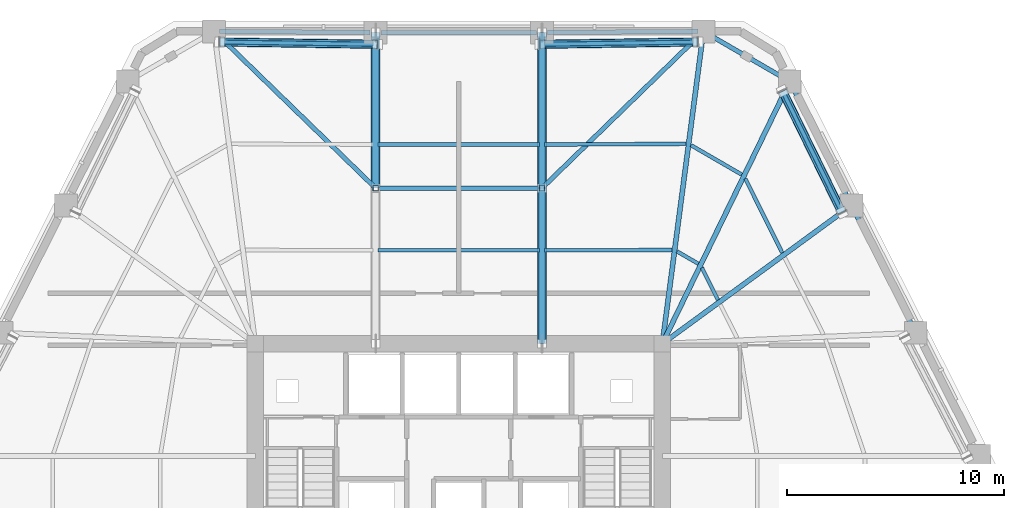
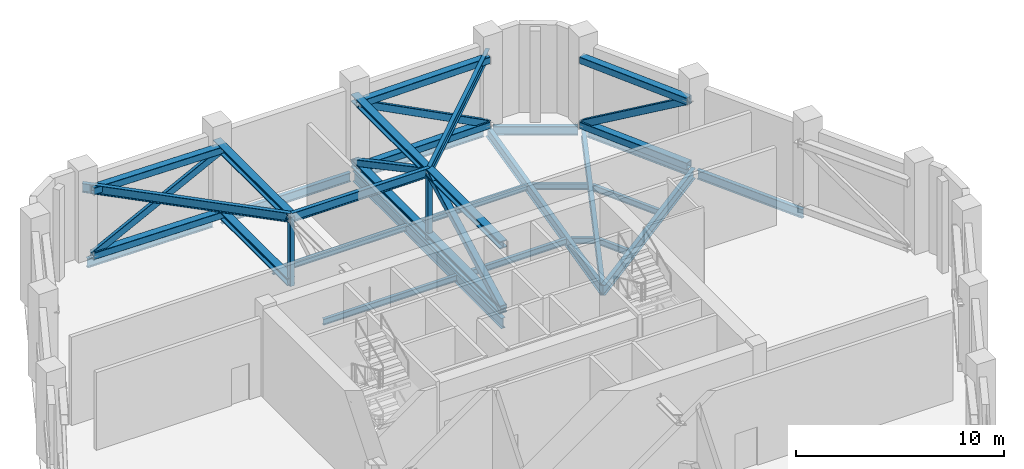
# One storey, part 5 of 15: 21 beams, 20 members.
"""IFC4 building model written with IfcOpenShell, lengths in metres."""

from ifc_helpers import new_model, si_unit, direction, frame, origin, origin_2d, place, context, subcontext, project, spatial, hollow_rectangle, i_section, extrude, material, material_profile, profile_set, type_object, element, save


model = new_model("IFC4")

# Units and contexts
model_context = context("Model", 3, precision=1e-05, world=origin(), true_north=direction((0.0, 1.0)))
body_context = subcontext(model_context, "Body", "Model", "MODEL_VIEW")
ifc_project = project(units=[si_unit("LENGTHUNIT", "METRE"), si_unit("AREAUNIT", "SQUARE_METRE"), si_unit("VOLUMEUNIT", "CUBIC_METRE"), si_unit("PLANEANGLEUNIT", "RADIAN"), si_unit("MASSUNIT", "GRAM", prefix="KILO")], contexts=[model_context])

# Site, building, storey
site_placement = place(None, origin())
site = spatial("IfcSite", under=ifc_project, at=site_placement, CompositionType="ELEMENT")
building_placement = place(site_placement, origin())
building = spatial("IfcBuilding", under=site, at=building_placement, Name="Cinnabar Lancet Tower", CompositionType="ELEMENT")
storey_placement = place(building_placement, frame((0.0, 0.0, 148.10009765625)))
storey = spatial("IfcBuildingStorey", under=building, at=storey_placement, Name="L39", CompositionType="ELEMENT", Elevation=148.10009765625)

# Beams
ifc_material_1 = material(Name="Structural steel S355", Category="steel")
ifc_material_profile_1 = material_profile(ifc_material_1, i_section(OverallWidth=0.17138671875, OverallDepth=0.35498046875, WebThickness=0.00732421875, FlangeThickness=0.011474609375, FilletRadius=0.01025390625, at=origin_2d()), Name="UKB 356x171x51")
ifc_profile_set_1 = profile_set([ifc_material_profile_1], Name="Structural steel S355")
beam_type_1 = type_object("IfcBeamType", Name="STR-BM-JST-356", PredefinedType="JOIST", material=ifc_profile_set_1)
beam_1_placement = place(storey_placement, frame((47.300048828125, 37.455078125, -0.4580078125), z_axis=(-0.445116798807, 0.895472520751, 0.0), x_axis=(-0.895472520751, -0.445116798807, 0.0)))
element("IfcBeam", 1, at=beam_1_placement, inside=storey, type_object=beam_type_1, Name="L39 Secondary Floor Joist 29", PredefinedType="JOIST", context=body_context, shape_type="SweptSolid", body=[
    extrude(i_section(OverallWidth=0.17138671875, OverallDepth=0.35498046875, WebThickness=0.00732421875, FlangeThickness=0.011474609375, FilletRadius=0.01025390625, at=origin_2d()), origin(), (0.0, 0.0, 1.0), 3.8212890625),
])
beam_2_placement = place(storey_placement, frame((44.337890625, 35.2900390625, -0.4580078125), z_axis=(-0.445677136949, 0.895193772097, 0.0), x_axis=(-0.895193772097, -0.445677136949, 0.0)))
element("IfcBeam", 2, at=beam_2_placement, inside=storey, type_object=beam_type_1, Name="L39 Secondary Floor Joist 30", PredefinedType="JOIST", context=body_context, shape_type="SweptSolid", body=[
    extrude(i_section(OverallWidth=0.17138671875, OverallDepth=0.35498046875, WebThickness=0.00732421875, FlangeThickness=0.011474609375, FilletRadius=0.01025390625, at=origin_2d()), origin(), (0.0, 0.0, 1.0), 1.6533203125),
])
beam_3_placement = place(storey_placement, frame((45.43505859375, 41.06298828125, -0.4580078125), z_axis=(-0.865172906898, 0.501473669469, 0.0), x_axis=(-0.501473669469, -0.865172906898, 0.0)))
element("IfcBeam", 3, at=beam_3_placement, inside=storey, type_object=beam_type_1, Name="L39 Secondary Floor Joist 31", PredefinedType="JOIST", context=body_context, shape_type="SweptSolid", body=[
    extrude(i_section(OverallWidth=0.17138671875, OverallDepth=0.35498046875, WebThickness=0.00732421875, FlangeThickness=0.011474609375, FilletRadius=0.01025390625, at=origin_2d()), origin(), (0.0, 0.0, 1.0), 2.705810546875),
])
beam_4_placement = place(storey_placement, frame((43.43798828125, 36.9560546875, -0.4580078125), z_axis=(-0.865055308165, 0.501676503154, 0.0), x_axis=(-0.501676503154, -0.865055308165, 0.0)))
element("IfcBeam", 4, at=beam_4_placement, inside=storey, type_object=beam_type_1, Name="L39 Secondary Floor Joist 32", PredefinedType="JOIST", context=body_context, shape_type="SweptSolid", body=[
    extrude(i_section(OverallWidth=0.17138671875, OverallDepth=0.35498046875, WebThickness=0.00732421875, FlangeThickness=0.011474609375, FilletRadius=0.01025390625, at=origin_2d()), origin(), (0.0, 0.0, 1.0), 1.14208984375),
])
beam_5_placement = place(storey_placement, frame((42.8720703125, 42.48095703125, -0.4580078125), z_axis=(-0.999987991898, -0.004900618269, 0.0), x_axis=(0.004900618269, -0.999987991898, 0.0)))
element("IfcBeam", 5, at=beam_5_placement, inside=storey, type_object=beam_type_1, Name="L39 Secondary Floor Joist 33", PredefinedType="JOIST", context=body_context, shape_type="SweptSolid", body=[
    extrude(i_section(OverallWidth=0.17138671875, OverallDepth=0.35498046875, WebThickness=0.00732421875, FlangeThickness=0.011474609375, FilletRadius=0.01025390625, at=origin_2d()), origin(), (0.0, 0.0, 1.0), 6.526123046875),
])
beam_6_placement = place(storey_placement, frame((42.22802734375, 37.591064453125, -0.4580078125), z_axis=(-0.999996247906, -0.002739374605, 0.0), x_axis=(0.002739374605, -0.999996247906, 0.0)))
element("IfcBeam", 6, at=beam_6_placement, inside=storey, type_object=beam_type_1, Name="L39 Secondary Floor Joist 34", PredefinedType="JOIST", context=body_context, shape_type="SweptSolid", body=[
    extrude(i_section(OverallWidth=0.17138671875, OverallDepth=0.35498046875, WebThickness=0.00732421875, FlangeThickness=0.011474609375, FilletRadius=0.01025390625, at=origin_2d()), origin(), (0.0, 0.0, 1.0), 5.882080078125),
])
for number, where, z_axis, x_axis, name in (
    (7, (36.117919921875, 42.447998046875, -0.4580078125), (-1.0, 0.0, 0.0), (0.0, -1.0, 0.0), "L39 Secondary Floor Joist 35"),
    (8, (36.117919921875, 37.574951171875, -0.4580078125), (-1.0, 0.0, 0.0), (0.0, -1.0, 0.0), "L39 Secondary Floor Joist 36"),
):
    element("IfcBeam", number, at=place(storey_placement, frame(where, z_axis=z_axis, x_axis=x_axis)), inside=storey, type_object=beam_type_1, Name=name, PredefinedType="JOIST", context=body_context, shape_type="SweptSolid", body=[
        extrude(i_section(OverallWidth=0.17138671875, OverallDepth=0.35498046875, WebThickness=0.00732421875, FlangeThickness=0.011474609375, FilletRadius=0.01025390625, at=origin_2d()), origin(), (0.0, 0.0, 1.0), 7.43603515625),
    ])
ifc_material_2 = material(Name="Structural steel S355", Category="steel")
ifc_material_profile_2 = material_profile(ifc_material_2, i_section(OverallWidth=0.209228515625, OverallDepth=0.533203125, WebThickness=0.010009765625, FlangeThickness=0.015625, FilletRadius=0.0126953125, at=origin_2d()), Name="UKB 533x210x92")
ifc_profile_set_2 = profile_set([ifc_material_profile_2], Name="Structural steel S355")
beam_type_2 = type_object("IfcBeamType", Name="STR-BM-SPN-533", PredefinedType="SPANDREL", material=ifc_profile_set_2)
beam_7_placement = place(storey_placement, frame((53.339111328125, 33.9990234375, -0.547119140625), z_axis=(-0.450570325924, 0.892740937449, 0.0), x_axis=(-0.892740937449, -0.450570325924, 0.0)))
element("IfcBeam", 9, at=beam_7_placement, inside=storey, type_object=beam_type_2, Name="L39 Perimeter Spandrel 10", PredefinedType="SPANDREL", context=body_context, shape_type="SweptSolid", body=[
    extrude(i_section(OverallWidth=0.209228515625, OverallDepth=0.533203125, WebThickness=0.010009765625, FlangeThickness=0.015625, FilletRadius=0.0126953125, at=origin_2d()), origin(), (0.0, 0.0, 1.0), 6.07470703125),
])
beam_8_placement = place(storey_placement, frame((50.3779296875, 39.868896484375, -0.547119140625), z_axis=(-0.445501068635, 0.89528140707, 0.0), x_axis=(-0.89528140707, -0.445501068635, 0.0)))
element("IfcBeam", 10, at=beam_8_placement, inside=storey, type_object=beam_type_2, Name="L39 Perimeter Spandrel 11", PredefinedType="SPANDREL", context=body_context, shape_type="SweptSolid", body=[
    extrude(i_section(OverallWidth=0.209228515625, OverallDepth=0.533203125, WebThickness=0.010009765625, FlangeThickness=0.015625, FilletRadius=0.0126953125, at=origin_2d()), origin(), (0.0, 0.0, 1.0), 5.87646484375),
])
beam_9_placement = place(storey_placement, frame((47.43310546875, 45.47900390625, -0.547119140625), z_axis=(-0.865138129765, 0.5015336643, 0.0), x_axis=(-0.5015336643, -0.865138129765, 0.0)))
element("IfcBeam", 11, at=beam_9_placement, inside=storey, type_object=beam_type_2, Name="L39 Perimeter Spandrel 12", PredefinedType="SPANDREL", context=body_context, shape_type="SweptSolid", body=[
    extrude(i_section(OverallWidth=0.209228515625, OverallDepth=0.533203125, WebThickness=0.010009765625, FlangeThickness=0.015625, FilletRadius=0.0126953125, at=origin_2d()), origin(), (0.0, 0.0, 1.0), 4.10107421875),
])
beam_10_placement = place(storey_placement, frame((43.4189453125, 47.658935546875, -0.547119140625), z_axis=(-0.999975228682, -0.007038609338, 0.0), x_axis=(0.007038609338, -0.999975228682, 0.0)))
element("IfcBeam", 12, at=beam_10_placement, inside=storey, type_object=beam_type_2, Name="L39 Perimeter Spandrel 13", PredefinedType="SPANDREL", context=body_context, shape_type="SweptSolid", body=[
    extrude(i_section(OverallWidth=0.209228515625, OverallDepth=0.533203125, WebThickness=0.010009765625, FlangeThickness=0.015625, FilletRadius=0.0126953125, at=origin_2d()), origin(), (0.0, 0.0, 1.0), 6.937255859375),
])
beam_11_placement = place(storey_placement, frame((35.98193359375, 47.60791015625, -0.547119140625), z_axis=(-1.0, 0.0, 0.0), x_axis=(0.0, -1.0, 0.0)))
element("IfcBeam", 13, at=beam_11_placement, inside=storey, type_object=beam_type_2, Name="L39 Perimeter Spandrel 14", PredefinedType="SPANDREL", context=body_context, shape_type="SweptSolid", body=[
    extrude(i_section(OverallWidth=0.209228515625, OverallDepth=0.533203125, WebThickness=0.010009765625, FlangeThickness=0.015625, FilletRadius=0.0126953125, at=origin_2d()), origin(), (0.0, 0.0, 1.0), 7.163818359375),
])
beam_12_placement = place(storey_placement, frame((28.318115234375, 47.610107421875, -0.547119140625), z_axis=(-0.999975228682, 0.007038609338, 0.0), x_axis=(-0.007038609338, -0.999975228682, 0.0)))
element("IfcBeam", 14, at=beam_12_placement, inside=storey, type_object=beam_type_2, Name="L39 Perimeter Spandrel 15", PredefinedType="SPANDREL", context=body_context, shape_type="SweptSolid", body=[
    extrude(i_section(OverallWidth=0.209228515625, OverallDepth=0.533203125, WebThickness=0.010009765625, FlangeThickness=0.015625, FilletRadius=0.0126953125, at=origin_2d()), origin(), (0.0, 0.0, 1.0), 6.937255859375),
])
ifc_material_3 = material(Name="Structural steel S355", Category="steel")
ifc_material_profile_3 = material_profile(ifc_material_3, i_section(OverallWidth=0.209228515625, OverallDepth=0.533203125, WebThickness=0.010009765625, FlangeThickness=0.015625, FilletRadius=0.0126953125, at=origin_2d()), Name="UKB 533x210x92")
ifc_profile_set_3 = profile_set([ifc_material_profile_3], Name="Structural steel S355")
beam_type_3 = type_object("IfcBeamType", Name="STR-BM-UKB533-92", PredefinedType="BEAM", material=ifc_profile_set_3)
beam_13_placement = place(storey_placement, frame((43.6689453125, 47.660888671875, 3.992919921875), z_axis=(-0.717498977206, -0.696559557905, 0.0), x_axis=(0.696559557905, -0.717498977206, 0.0)))
element("IfcBeam", 15, at=beam_13_placement, inside=storey, type_object=beam_type_3, Name="L39 Outrigger N Tie Beam 1", PredefinedType="BEAM", context=body_context, shape_type="SweptSolid", body=[
    extrude(i_section(OverallWidth=0.209228515625, OverallDepth=0.533203125, WebThickness=0.010009765625, FlangeThickness=0.015625, FilletRadius=0.0126953125, at=origin_2d()), origin(), (0.0, 0.0, 1.0), 10.365234375),
])
beam_14_placement = place(storey_placement, frame((36.23193359375, 40.44091796875, 3.992919921875), z_axis=(-1.0, 0.0, 0.0), x_axis=(0.0, -1.0, 0.0)))
element("IfcBeam", 16, at=beam_14_placement, inside=storey, type_object=beam_type_3, Name="L39 Outrigger N Tie Beam 2", PredefinedType="BEAM", context=body_context, shape_type="SweptSolid", body=[
    extrude(i_section(OverallWidth=0.209228515625, OverallDepth=0.533203125, WebThickness=0.010009765625, FlangeThickness=0.015625, FilletRadius=0.0126953125, at=origin_2d()), origin(), (0.0, 0.0, 1.0), 7.663818359375),
])
beam_15_placement = place(storey_placement, frame((28.568115234375, 40.44091796875, 3.992919921875), z_axis=(-0.717498977206, 0.696559557905, 0.0), x_axis=(-0.696559557905, -0.717498977206, 0.0)))
element("IfcBeam", 17, at=beam_15_placement, inside=storey, type_object=beam_type_3, Name="L39 Outrigger N Tie Beam 3", PredefinedType="BEAM", context=body_context, shape_type="SweptSolid", body=[
    extrude(i_section(OverallWidth=0.209228515625, OverallDepth=0.533203125, WebThickness=0.010009765625, FlangeThickness=0.015625, FilletRadius=0.0126953125, at=origin_2d()), origin(), (0.0, 0.0, 1.0), 10.365234375),
])
ifc_material_4 = material(Name="Structural steel S355", Category="steel")
ifc_material_profile_4 = material_profile(ifc_material_4, i_section(OverallWidth=0.228271484375, OverallDepth=0.607666015625, WebThickness=0.010986328125, FlangeThickness=0.017333984375, FilletRadius=0.0126953125, at=origin_2d()), Name="UKB 610x229x113")
ifc_profile_set_4 = profile_set([ifc_material_profile_4], Name="Structural steel S355")
beam_type_4 = type_object("IfcBeamType", Name="STR-BM-UKB610-113", PredefinedType="BEAM", material=ifc_profile_set_4)
beam_16_placement = place(storey_placement, frame((50.489013671875, 39.64501953125, -0.583984375), z_axis=(-0.807297870919, -0.590144175273, 0.0), x_axis=(0.590144175273, -0.807297870919, 0.0)))
element("IfcBeam", 18, at=beam_16_placement, inside=storey, type_object=beam_type_4, Name="L39 Corner Collector Girder 3", PredefinedType="BEAM", context=body_context, shape_type="SweptSolid", body=[
    extrude(i_section(OverallWidth=0.228271484375, OverallDepth=0.607666015625, WebThickness=0.010986328125, FlangeThickness=0.017333984375, FilletRadius=0.0126953125, at=origin_2d()), origin(), (0.0, 0.0, 1.0), 10.794189453125),
])
beam_17_placement = place(storey_placement, frame((47.64892578125, 45.35400390625, -0.583984375), z_axis=(-0.437327473227, -0.899302330232, 0.0), x_axis=(0.899302330232, -0.437327473227, 0.0)))
element("IfcBeam", 19, at=beam_17_placement, inside=storey, type_object=beam_type_4, Name="L39 Primary Floor Girder 12", PredefinedType="BEAM", context=body_context, shape_type="SweptSolid", body=[
    extrude(i_section(OverallWidth=0.228271484375, OverallDepth=0.607666015625, WebThickness=0.010986328125, FlangeThickness=0.017333984375, FilletRadius=0.0126953125, at=origin_2d()), origin(), (0.0, 0.0, 1.0), 13.431640625),
])
beam_18_placement = place(storey_placement, frame((43.6689453125, 47.660888671875, -0.583984375), z_axis=(-0.130532420418, -0.991444041396, 0.0), x_axis=(0.991444041396, -0.130532420418, 0.0)))
element("IfcBeam", 20, at=beam_18_placement, inside=storey, type_object=beam_type_4, Name="L39 Primary Floor Girder 13", PredefinedType="BEAM", context=body_context, shape_type="SweptSolid", body=[
    extrude(i_section(OverallWidth=0.228271484375, OverallDepth=0.607666015625, WebThickness=0.010986328125, FlangeThickness=0.017333984375, FilletRadius=0.0126953125, at=origin_2d()), origin(), (0.0, 0.0, 1.0), 14.51025390625),
])
beam_19_placement = place(storey_placement, frame((36.23193359375, 47.60791015625, -0.583984375), z_axis=(0.0, -1.0, 0.0), x_axis=(1.0, 0.0, 0.0)))
element("IfcBeam", 21, at=beam_19_placement, inside=storey, type_object=beam_type_4, Name="L39 Primary Floor Girder 14", PredefinedType="BEAM", context=body_context, shape_type="SweptSolid", body=[
    extrude(i_section(OverallWidth=0.228271484375, OverallDepth=0.607666015625, WebThickness=0.010986328125, FlangeThickness=0.017333984375, FilletRadius=0.0126953125, at=origin_2d()), origin(), (0.0, 0.0, 1.0), 14.3330078125),
])

# Members
ifc_material_5 = material(Name="Structural steel S460", Category="steel")
ifc_material_profile_5 = material_profile(ifc_material_5, hollow_rectangle(XDim=0.199951171875, YDim=0.39990234375, WallThickness=0.01611328125, InnerFilletRadius=0.008056640625, OuterFilletRadius=0.02392578125, at=origin_2d()), Name="RHS 400x200x16")
ifc_profile_set_5 = profile_set([ifc_material_profile_5], Name="Structural steel S460")
member_type_1 = type_object("IfcMemberType", Name="STR-MEM-BT-BRC400", PredefinedType="BRACE", material=ifc_profile_set_5)
member_1_placement = place(storey_placement, frame((50.052001953125, 39.31103515625, 4.039794921875), z_axis=(-0.374514841053, 0.766376054009, -0.521925643816), x_axis=(-0.898457388787, -0.439060725338, 0.0)))
element("IfcMember", 22, at=member_1_placement, inside=storey, type_object=member_type_1, Name="L39 Belt Truss Face 3 Diagonal", PredefinedType="BRACE", context=body_context, shape_type="SweptSolid", body=[
    extrude(hollow_rectangle(XDim=0.199951171875, YDim=0.39990234375, WallThickness=0.01611328125, InnerFilletRadius=0.008056640625, OuterFilletRadius=0.02392578125, at=origin_2d()), origin(), (0.0, 0.0, 1.0), 7.318603515625),
])
for number, where, z_axis, x_axis, name in (
    (23, (43.4169921875, 47.172119140625, 0.219970703125), (-0.88543369607, -0.012916719467, 0.464586190305), (0.014586462362, -0.999893611899, 0.0), "L39 Belt Truss Face 4 Diagonal"),
    (24, (28.6630859375, 47.06591796875, 4.039794921875), (-0.88543369607, 0.012916719467, -0.464586190305), (-0.014586462362, -0.999893611899, 0.0), "L39 Belt Truss Face 4 Diagonal"),
):
    element("IfcMember", number, at=place(storey_placement, frame(where, z_axis=z_axis, x_axis=x_axis)), inside=storey, type_object=member_type_1, Name=name, PredefinedType="BRACE", context=body_context, shape_type="SweptSolid", body=[
        extrude(hollow_rectangle(XDim=0.199951171875, YDim=0.39990234375, WallThickness=0.01611328125, InnerFilletRadius=0.008056640625, OuterFilletRadius=0.02392578125, at=origin_2d()), origin(), (0.0, 0.0, 1.0), 8.221923828125),
    ])
ifc_material_6 = material(Name="Structural steel S460", Category="steel")
ifc_material_profile_6 = material_profile(ifc_material_6, hollow_rectangle(XDim=0.39990234375, YDim=0.39990234375, WallThickness=0.02001953125, InnerFilletRadius=0.010009765625, OuterFilletRadius=0.030029296875, at=origin_2d()), Name="SHS 400x400x20")
ifc_profile_set_6 = profile_set([ifc_material_profile_6], Name="Structural steel S460")
member_type_2 = type_object("IfcMemberType", Name="STR-MEM-BT-CHD400", PredefinedType="CHORD", material=ifc_profile_set_6)
for number, where, z_axis, x_axis, name in (
    (25, (50.052001953125, 39.31103515625, 0.219970703125), (-0.439060725338, 0.898457388787, 0.0), (-0.898457388787, -0.439060725338, 0.0), "L39 Belt Truss Face 3 Chord BC"),
    (26, (50.052001953125, 39.31103515625, 4.039794921875), (-0.439060725338, 0.898457388787, 0.0), (-0.898457388787, -0.439060725338, 0.0), "L39 Belt Truss Face 3 Chord TC"),
):
    element("IfcMember", number, at=place(storey_placement, frame(where, z_axis=z_axis, x_axis=x_axis)), inside=storey, type_object=member_type_2, Name=name, PredefinedType="CHORD", context=body_context, shape_type="SweptSolid", body=[
        extrude(hollow_rectangle(XDim=0.39990234375, YDim=0.39990234375, WallThickness=0.02001953125, InnerFilletRadius=0.010009765625, OuterFilletRadius=0.030029296875, at=origin_2d()), origin(), (0.0, 0.0, 1.0), 6.24267578125),
    ])
for number, where, z_axis, x_axis, name in (
    (27, (43.4169921875, 47.172119140625, 0.219970703125), (-0.999893611899, -0.014586462362, 0.0), (0.014586462362, -0.999893611899, 0.0), "L39 Belt Truss Face 4 Chord BC"),
    (28, (43.4169921875, 47.172119140625, 4.039794921875), (-0.999893611899, -0.014586462362, 0.0), (0.014586462362, -0.999893611899, 0.0), "L39 Belt Truss Face 4 Chord TC"),
    (29, (28.6630859375, 47.06591796875, 0.219970703125), (-0.999893611899, 0.014586462362, 0.0), (-0.014586462362, -0.999893611899, 0.0), "L39 Belt Truss Face 4 Chord BC"),
    (30, (28.6630859375, 47.06591796875, 4.039794921875), (-0.999893611899, 0.014586462362, 0.0), (-0.014586462362, -0.999893611899, 0.0), "L39 Belt Truss Face 4 Chord TC"),
):
    element("IfcMember", number, at=place(storey_placement, frame(where, z_axis=z_axis, x_axis=x_axis)), inside=storey, type_object=member_type_2, Name=name, PredefinedType="CHORD", context=body_context, shape_type="SweptSolid", body=[
        extrude(hollow_rectangle(XDim=0.39990234375, YDim=0.39990234375, WallThickness=0.02001953125, InnerFilletRadius=0.010009765625, OuterFilletRadius=0.030029296875, at=origin_2d()), origin(), (0.0, 0.0, 1.0), 7.28076171875),
    ])
ifc_material_7 = material(Name="Structural steel S460", Category="steel")
ifc_material_profile_7 = material_profile(ifc_material_7, hollow_rectangle(XDim=0.25, YDim=0.25, WallThickness=0.012451171875, InnerFilletRadius=0.00634765625, OuterFilletRadius=0.018798828125, at=origin_2d()), Name="SHS 250x250x12.5")
ifc_profile_set_7 = profile_set([ifc_material_profile_7], Name="Structural steel S460")
member_type_3 = type_object("IfcMemberType", Name="STR-MEM-BT-PST250", PredefinedType="STRUT", material=ifc_profile_set_7)
for number, where, z_axis, x_axis, name in (
    (31, (36.23193359375, 40.44091796875, 0.0), (0.0, 0.0, 1.0), (1.0, 0.0, 0.0), "L39 Outrigger Truss 3 Web Strut"),
    (32, (28.568115234375, 40.44091796875, 0.0), (0.0, 0.0, 1.0), (1.0, 0.0, 0.0), "L39 Outrigger Truss 4 Web Strut"),
):
    element("IfcMember", number, at=place(storey_placement, frame(where, z_axis=z_axis, x_axis=x_axis)), inside=storey, type_object=member_type_3, Name=name, PredefinedType="STRUT", context=body_context, shape_type="SweptSolid", body=[
        extrude(hollow_rectangle(XDim=0.25, YDim=0.25, WallThickness=0.012451171875, InnerFilletRadius=0.00634765625, OuterFilletRadius=0.018798828125, at=origin_2d()), origin(), (0.0, 0.0, 1.0), 4.039794921875),
    ])
ifc_material_8 = material(Name="Structural steel S460", Category="steel")
ifc_material_profile_8 = material_profile(ifc_material_8, hollow_rectangle(XDim=0.35009765625, YDim=0.35009765625, WallThickness=0.01611328125, InnerFilletRadius=0.008056640625, OuterFilletRadius=0.02392578125, at=origin_2d()), Name="SHS 350x350x16")
ifc_profile_set_8 = profile_set([ifc_material_profile_8], Name="Structural steel S460")
member_type_4 = type_object("IfcMemberType", Name="STR-MEM-OT-BRC350", PredefinedType="BRACE", material=ifc_profile_set_8)
member_2_placement = place(storey_placement, frame((36.23193359375, 33.27490234375, 0.219970703125), z_axis=(0.0, 0.882457781461, 0.470391607003), x_axis=(-1.0, 0.0, 0.0)))
element("IfcMember", 33, at=member_2_placement, inside=storey, type_object=member_type_4, Name="L39 Outrigger Truss 3 Diagonal 1", PredefinedType="BRACE", context=body_context, shape_type="SweptSolid", body=[
    extrude(hollow_rectangle(XDim=0.35009765625, YDim=0.35009765625, WallThickness=0.01611328125, InnerFilletRadius=0.008056640625, OuterFilletRadius=0.02392578125, at=origin_2d()), origin(), (0.0, 0.0, 1.0), 8.12060546875),
])
for number, where, z_axis, x_axis, name in (
    (34, (36.23193359375, 40.44091796875, 4.039794921875), (0.0, 0.882484386643, -0.470341692104), (-1.0, 0.0, 0.0), "L39 Outrigger Truss 3 Diagonal 2"),
    (35, (28.568115234375, 40.44091796875, 4.039794921875), (0.0, 0.882484386643, -0.470341692104), (-1.0, 0.0, 0.0), "L39 Outrigger Truss 4 Diagonal 2"),
):
    element("IfcMember", number, at=place(storey_placement, frame(where, z_axis=z_axis, x_axis=x_axis)), inside=storey, type_object=member_type_4, Name=name, PredefinedType="BRACE", context=body_context, shape_type="SweptSolid", body=[
        extrude(hollow_rectangle(XDim=0.35009765625, YDim=0.35009765625, WallThickness=0.01611328125, InnerFilletRadius=0.008056640625, OuterFilletRadius=0.02392578125, at=origin_2d()), origin(), (0.0, 0.0, 1.0), 8.121337890625),
    ])
ifc_material_9 = material(Name="Structural steel S460", Category="steel")
ifc_material_profile_9 = material_profile(ifc_material_9, i_section(OverallWidth=0.412109375, OverallDepth=0.43505859375, WebThickness=0.035888671875, FlangeThickness=0.05810546875, FilletRadius=0.014892578125, at=origin_2d()), Name="HD 400x463")
ifc_profile_set_9 = profile_set([ifc_material_profile_9], Name="Structural steel S460")
member_type_5 = type_object("IfcMemberType", Name="STR-MEM-OT-CHD463", PredefinedType="CHORD", material=ifc_profile_set_9)
member_3_placement = place(storey_placement, frame((36.23193359375, 33.27490234375, 0.219970703125), z_axis=(0.0, 1.0, 0.0), x_axis=(-1.0, 0.0, 0.0)))
element("IfcMember", 36, at=member_3_placement, inside=storey, type_object=member_type_5, Name="L39 Outrigger Truss 3 Chord BC1", PredefinedType="CHORD", context=body_context, shape_type="SweptSolid", body=[
    extrude(i_section(OverallWidth=0.412109375, OverallDepth=0.43505859375, WebThickness=0.035888671875, FlangeThickness=0.05810546875, FilletRadius=0.014892578125, at=origin_2d()), origin(), (0.0, 0.0, 1.0), 7.166015625),
])
member_4_placement = place(storey_placement, frame((36.23193359375, 40.44091796875, 0.219970703125), z_axis=(0.0, 1.0, 0.0), x_axis=(-1.0, 0.0, 0.0)))
element("IfcMember", 37, at=member_4_placement, inside=storey, type_object=member_type_5, Name="L39 Outrigger Truss 3 Chord BC2", PredefinedType="CHORD", context=body_context, shape_type="SweptSolid", body=[
    extrude(i_section(OverallWidth=0.412109375, OverallDepth=0.43505859375, WebThickness=0.035888671875, FlangeThickness=0.05810546875, FilletRadius=0.014892578125, at=origin_2d()), origin(), (0.0, 0.0, 1.0), 7.1669921875),
])
member_5_placement = place(storey_placement, frame((36.23193359375, 33.27490234375, 4.039794921875), z_axis=(0.0, 1.0, 0.0), x_axis=(-1.0, 0.0, 0.0)))
element("IfcMember", 38, at=member_5_placement, inside=storey, type_object=member_type_5, Name="L39 Outrigger Truss 3 Chord TC1", PredefinedType="CHORD", context=body_context, shape_type="SweptSolid", body=[
    extrude(i_section(OverallWidth=0.412109375, OverallDepth=0.43505859375, WebThickness=0.035888671875, FlangeThickness=0.05810546875, FilletRadius=0.014892578125, at=origin_2d()), origin(), (0.0, 0.0, 1.0), 7.166015625),
])
for number, where, z_axis, x_axis, name in (
    (39, (36.23193359375, 40.44091796875, 4.039794921875), (0.0, 1.0, 0.0), (-1.0, 0.0, 0.0), "L39 Outrigger Truss 3 Chord TC2"),
    (40, (28.568115234375, 40.44091796875, 0.219970703125), (0.0, 1.0, 0.0), (-1.0, 0.0, 0.0), "L39 Outrigger Truss 4 Chord BC2"),
    (41, (28.568115234375, 40.44091796875, 4.039794921875), (0.0, 1.0, 0.0), (-1.0, 0.0, 0.0), "L39 Outrigger Truss 4 Chord TC2"),
):
    element("IfcMember", number, at=place(storey_placement, frame(where, z_axis=z_axis, x_axis=x_axis)), inside=storey, type_object=member_type_5, Name=name, PredefinedType="CHORD", context=body_context, shape_type="SweptSolid", body=[
        extrude(i_section(OverallWidth=0.412109375, OverallDepth=0.43505859375, WebThickness=0.035888671875, FlangeThickness=0.05810546875, FilletRadius=0.014892578125, at=origin_2d()), origin(), (0.0, 0.0, 1.0), 7.1669921875),
    ])

save(model, "model.ifc")
